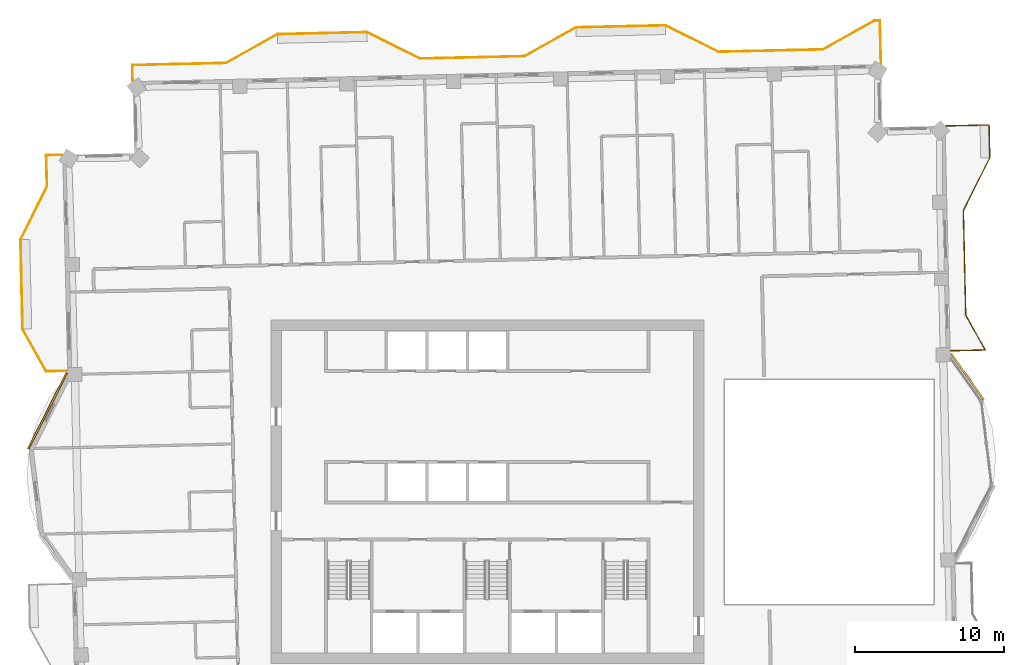
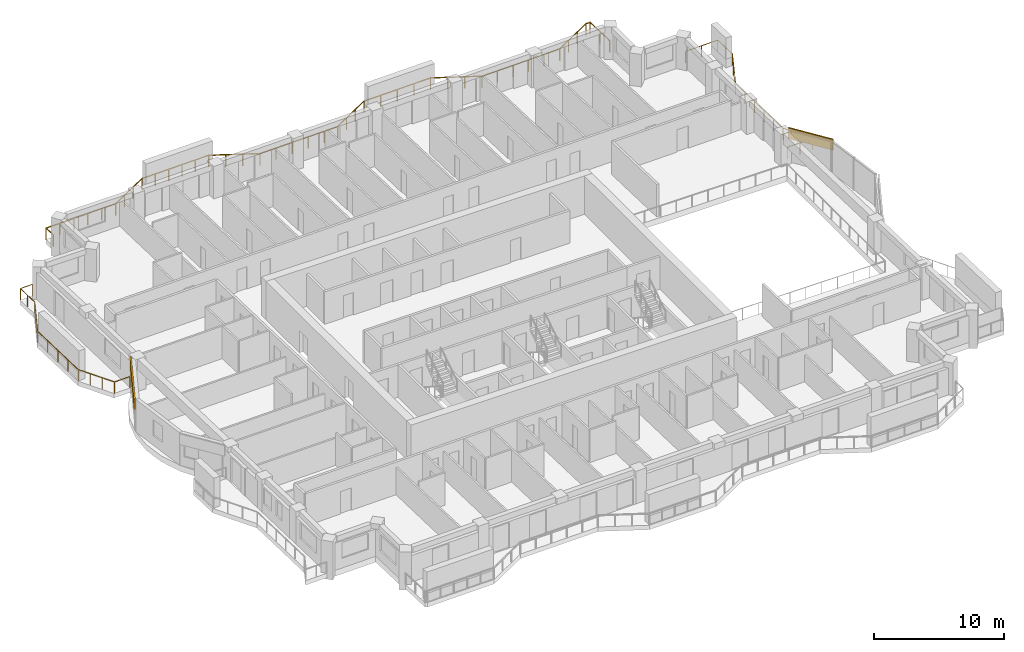
# One storey, part 19 of 19: 3 railings, 2 coverings.
"""IFC4 building model written with IfcOpenShell, lengths in metres."""

from ifc_helpers import new_model, si_unit, direction, frame, frame_2d, origin, origin_2d, place, context, subcontext, project, spatial, rectangle, extrude, material, layer, layer_set, type_object, element, save


model = new_model("IFC4")

# Units and contexts
model_context = context("Model", 3, precision=1e-05, world=origin(), true_north=direction((0.0, 1.0)))
body_context = subcontext(model_context, "Body", "Model", "MODEL_VIEW")
ifc_project = project(units=[si_unit("LENGTHUNIT", "METRE"), si_unit("AREAUNIT", "SQUARE_METRE"), si_unit("VOLUMEUNIT", "CUBIC_METRE"), si_unit("PLANEANGLEUNIT", "RADIAN"), si_unit("MASSUNIT", "GRAM", prefix="KILO")], contexts=[model_context])

# Site, building, storey
site_placement = place(None, origin())
site = spatial("IfcSite", under=ifc_project, at=site_placement, CompositionType="ELEMENT")
building_placement = place(site_placement, origin())
building = spatial("IfcBuilding", under=site, at=building_placement, Name="Mangrove Gate Tower", CompositionType="ELEMENT")
storey_placement = place(building_placement, frame((0.0, 0.0, 283.5)))
storey = spatial("IfcBuildingStorey", under=building, at=storey_placement, Name="L72", CompositionType="ELEMENT", Elevation=283.5)

# Railings
ifc_material_1 = material(Name="Stainless steel grade 316 with laminated glass infill", Category="steel")
railing_type = type_object("IfcRailingType", Name="Balcony guard 1100", PredefinedType="GUARDRAIL", material=ifc_material_1)
railing_1_placement = place(storey_placement, frame((31.0390625, 9.445068359375, 0.0)))
element("IfcRailing", 1, at=railing_1_placement, inside=storey, type_object=railing_type, Name="GUARD L72 E2", PredefinedType="GUARDRAIL", context=body_context, shape_type="SweptSolid", body=[
    extrude(rectangle(XDim=0.048095703125, YDim=0.048095703125, at=origin_2d()), frame((0.0, 0.0, 1.076171875), z_axis=(0.999738009607, 0.022889127251, 0.0), x_axis=(-0.022889127251, 0.999738009607, 0.0)), (0.0, 0.0, 1.0), 2.314453125),
    extrude(rectangle(XDim=0.048095703125, YDim=0.048095703125, at=origin_2d()), frame((2.31396484375, 0.052978515625, 1.076171875), z_axis=(-0.487163004485, 0.873311059738, 0.0), x_axis=(-0.873311059738, -0.487163004485, 0.0)), (0.0, 0.0, 1.0), 2.68505859375),
    extrude(rectangle(XDim=0.048095703125, YDim=0.048095703125, at=origin_2d()), frame((1.005859375, 2.39794921875, 1.076171875), z_axis=(-0.022705559911, 0.999742195543, 0.0), x_axis=(-0.999742195543, -0.022705559911, 0.0)), (0.0, 0.0, 1.0), 6.999755859375),
    extrude(rectangle(XDim=0.048095703125, YDim=0.048095703125, at=origin_2d()), frame((0.846923828125, 9.39599609375, 1.076171875), z_axis=(0.447016280881, 0.894525821107, 0.0), x_axis=(-0.894525821107, 0.447016280881, 0.0)), (0.0, 0.0, 1.0), 3.959716796875),
    extrude(rectangle(XDim=0.048095703125, YDim=0.048095703125, at=origin_2d()), frame((2.616943359375, 12.93798828125, 1.076171875), z_axis=(-0.022754182687, 0.999741090068, 0.0), x_axis=(-0.999741090068, -0.022754182687, 0.0)), (0.0, 0.0, 1.0), 2.199462890625),
    extrude(rectangle(XDim=0.048095703125, YDim=0.048095703125, at=origin_2d()), frame((2.56689453125, 15.136962890625, 1.076171875), z_axis=(-0.999743349437, -0.022654696127, 0.0), x_axis=(0.022654696127, -0.999743349437, 0.0)), (0.0, 0.0, 1.0), 2.90966796875),
    extrude(rectangle(XDim=0.0419921875, YDim=0.0419921875, at=origin_2d()), origin(), (0.0, 0.0, 1.0), 1.052001953125),
    extrude(rectangle(XDim=0.0419921875, YDim=0.0419921875, at=origin_2d()), frame((1.156982421875, 0.0263671875, 0.0)), (0.0, 0.0, 1.0), 1.052001953125),
    extrude(rectangle(XDim=0.0419921875, YDim=0.0419921875, at=origin_2d()), frame((2.31396484375, 0.052978515625, 0.0)), (0.0, 0.0, 1.0), 1.052001953125),
    extrude(rectangle(XDim=0.0419921875, YDim=0.0419921875, at=origin_2d()), frame((1.659912109375, 1.2255859375, 0.0)), (0.0, 0.0, 1.0), 1.052001953125),
    extrude(rectangle(XDim=0.0419921875, YDim=0.0419921875, at=origin_2d()), frame((1.005859375, 2.39794921875, 0.0)), (0.0, 0.0, 1.0), 1.052001953125),
    extrude(rectangle(XDim=0.0419921875, YDim=0.0419921875, at=origin_2d()), frame((0.97412109375, 3.797607421875, 0.0)), (0.0, 0.0, 1.0), 1.052001953125),
    extrude(rectangle(XDim=0.0419921875, YDim=0.0419921875, at=origin_2d()), frame((0.9423828125, 5.197265625, 0.0)), (0.0, 0.0, 1.0), 1.052001953125),
    extrude(rectangle(XDim=0.0419921875, YDim=0.0419921875, at=origin_2d()), frame((0.910400390625, 6.5966796875, 0.0)), (0.0, 0.0, 1.0), 1.052001953125),
    extrude(rectangle(XDim=0.0419921875, YDim=0.0419921875, at=origin_2d()), frame((0.878662109375, 7.996337890625, 0.0)), (0.0, 0.0, 1.0), 1.052001953125),
    extrude(rectangle(XDim=0.0419921875, YDim=0.0419921875, at=origin_2d()), frame((0.846923828125, 9.39599609375, 0.0)), (0.0, 0.0, 1.0), 1.052001953125),
    extrude(rectangle(XDim=0.0419921875, YDim=0.0419921875, at=origin_2d()), frame((1.43701171875, 10.57666015625, 0.0)), (0.0, 0.0, 1.0), 1.052001953125),
    extrude(rectangle(XDim=0.0419921875, YDim=0.0419921875, at=origin_2d()), frame((2.02685546875, 11.75732421875, 0.0)), (0.0, 0.0, 1.0), 1.052001953125),
    extrude(rectangle(XDim=0.0419921875, YDim=0.0419921875, at=origin_2d()), frame((2.616943359375, 12.93798828125, 0.0)), (0.0, 0.0, 1.0), 1.052001953125),
    extrude(rectangle(XDim=0.0419921875, YDim=0.0419921875, at=origin_2d()), frame((2.591796875, 14.03759765625, 0.0)), (0.0, 0.0, 1.0), 1.052001953125),
    extrude(rectangle(XDim=0.0419921875, YDim=0.0419921875, at=origin_2d()), frame((2.56689453125, 15.136962890625, 0.0)), (0.0, 0.0, 1.0), 1.052001953125),
    extrude(rectangle(XDim=0.0419921875, YDim=0.0419921875, at=origin_2d()), frame((1.1123046875, 15.10400390625, 0.0)), (0.0, 0.0, 1.0), 1.052001953125),
    extrude(rectangle(XDim=0.0419921875, YDim=0.0419921875, at=origin_2d()), frame((-0.342041015625, 15.071044921875, 0.0)), (0.0, 0.0, 1.0), 1.052001953125),
])
railing_2_placement = place(storey_placement, frame((26.362060546875, 28.658935546875, 0.0)))
element("IfcRailing", 2, at=railing_2_placement, inside=storey, type_object=railing_type, Name="GUARD L72 N1", PredefinedType="GUARDRAIL", context=body_context, shape_type="SweptSolid", body=[
    extrude(rectangle(XDim=0.048095703125, YDim=0.048095703125, at=origin_2d()), frame((0.0, 0.0, 1.076171875), z_axis=(-0.022736651854, 0.999741488917, 0.0), x_axis=(-0.999741488917, -0.022736651854, 0.0)), (0.0, 0.0, 1.0), 2.909912109375),
    extrude(rectangle(XDim=0.048095703125, YDim=0.048095703125, at=origin_2d()), frame((-0.066162109375, 2.9091796875, 1.076171875), z_axis=(-0.999760329145, -0.021892561952, 0.0), x_axis=(0.021892561952, -0.999760329145, 0.0)), (0.0, 0.0, 1.0), 0.367919921875),
    extrude(rectangle(XDim=0.048095703125, YDim=0.048095703125, at=origin_2d()), frame((-0.43408203125, 2.901123046875, 1.076171875), z_axis=(-0.87325689943, -0.48726008209, 0.0), x_axis=(0.48726008209, -0.87325689943, 0.0)), (0.0, 0.0, 1.0), 3.958740234375),
    extrude(rectangle(XDim=0.048095703125, YDim=0.048095703125, at=origin_2d()), frame((-3.89111328125, 0.97216796875, 1.076171875), z_axis=(-0.999741475346, -0.022737248567, 0.0), x_axis=(0.022737248567, -0.999741475346, 0.0)), (0.0, 0.0, 1.0), 7.000732421875),
    extrude(rectangle(XDim=0.048095703125, YDim=0.048095703125, at=origin_2d()), frame((-10.89013671875, 0.81298828125, 1.076171875), z_axis=(-0.894476522376, 0.447114919141, 0.0), x_axis=(-0.447114919141, -0.894476522376, 0.0)), (0.0, 0.0, 1.0), 3.958740234375),
    extrude(rectangle(XDim=0.048095703125, YDim=0.048095703125, at=origin_2d()), frame((-14.43115234375, 2.5830078125, 1.076171875), z_axis=(-0.999743073592, -0.022666865795, 0.0), x_axis=(0.022666865795, -0.999743073592, 0.0)), (0.0, 0.0, 1.0), 5.999267578125),
    extrude(rectangle(XDim=0.048095703125, YDim=0.048095703125, at=origin_2d()), frame((-20.428955078125, 2.447021484375, 1.076171875), z_axis=(-0.87325689943, -0.48726008209, 0.0), x_axis=(0.48726008209, -0.87325689943, 0.0)), (0.0, 0.0, 1.0), 3.958740234375),
    extrude(rectangle(XDim=0.048095703125, YDim=0.048095703125, at=origin_2d()), frame((-23.885986328125, 0.51806640625, 1.076171875), z_axis=(-0.999745184295, -0.022573579222, 0.0), x_axis=(0.022573579222, -0.999745184295, 0.0)), (0.0, 0.0, 1.0), 1.200439453125),
    extrude(rectangle(XDim=0.048095703125, YDim=0.048095703125, at=origin_2d()), frame((-25.086181640625, 0.490966796875, 1.076171875), z_axis=(-0.999741574676, -0.022732880677, 0.0), x_axis=(0.022732880677, -0.999741574676, 0.0)), (0.0, 0.0, 1.0), 5.79931640625),
    extrude(rectangle(XDim=0.048095703125, YDim=0.048095703125, at=origin_2d()), frame((-30.884033203125, 0.359130859375, 1.076171875), z_axis=(-0.894476522376, 0.447114919141, 0.0), x_axis=(-0.447114919141, -0.894476522376, 0.0)), (0.0, 0.0, 1.0), 3.958740234375),
    extrude(rectangle(XDim=0.048095703125, YDim=0.048095703125, at=origin_2d()), frame((-34.425048828125, 2.129150390625, 1.076171875), z_axis=(-0.999743178102, -0.022662255828, 0.0), x_axis=(0.022662255828, -0.999743178102, 0.0)), (0.0, 0.0, 1.0), 6.00048828125),
    extrude(rectangle(XDim=0.048095703125, YDim=0.048095703125, at=origin_2d()), frame((-40.424072265625, 1.9931640625, 1.076171875), z_axis=(-0.873230657876, -0.487307108654, 0.0), x_axis=(0.487307108654, -0.873230657876, 0.0)), (0.0, 0.0, 1.0), 3.958984375),
    extrude(rectangle(XDim=0.048095703125, YDim=0.048095703125, at=origin_2d()), frame((-43.881103515625, 0.06396484375, 1.076171875), z_axis=(-0.999743862687, -0.022632035232, 0.0), x_axis=(0.022632035232, -0.999743862687, 0.0)), (0.0, 0.0, 1.0), 6.267578125),
    extrude(rectangle(XDim=0.048095703125, YDim=0.048095703125, at=origin_2d()), frame((-50.14697265625, -0.077880859375, 1.076171875), z_axis=(0.021643938231, -0.999765742531, 0.0), x_axis=(0.999765742531, 0.021643938231, 0.0)), (0.0, 0.0, 1.0), 1.060302734375),
    extrude(rectangle(XDim=0.0419921875, YDim=0.0419921875, at=origin_2d()), origin(), (0.0, 0.0, 1.0), 1.052001953125),
    extrude(rectangle(XDim=0.0419921875, YDim=0.0419921875, at=origin_2d()), frame((-0.033203125, 1.45458984375, 0.0)), (0.0, 0.0, 1.0), 1.052001953125),
    extrude(rectangle(XDim=0.0419921875, YDim=0.0419921875, at=origin_2d()), frame((-0.066162109375, 2.9091796875, 0.0)), (0.0, 0.0, 1.0), 1.052001953125),
    extrude(rectangle(XDim=0.0419921875, YDim=0.0419921875, at=origin_2d()), frame((-0.43408203125, 2.901123046875, 0.0)), (0.0, 0.0, 1.0), 1.052001953125),
    extrude(rectangle(XDim=0.0419921875, YDim=0.0419921875, at=origin_2d()), frame((-1.58642578125, 2.258056640625, 0.0)), (0.0, 0.0, 1.0), 1.052001953125),
    extrude(rectangle(XDim=0.0419921875, YDim=0.0419921875, at=origin_2d()), frame((-2.73876953125, 1.615234375, 0.0)), (0.0, 0.0, 1.0), 1.052001953125),
    extrude(rectangle(XDim=0.0419921875, YDim=0.0419921875, at=origin_2d()), frame((-3.89111328125, 0.97216796875, 0.0)), (0.0, 0.0, 1.0), 1.052001953125),
    extrude(rectangle(XDim=0.0419921875, YDim=0.0419921875, at=origin_2d()), frame((-5.291015625, 0.9404296875, 0.0)), (0.0, 0.0, 1.0), 1.052001953125),
    extrude(rectangle(XDim=0.0419921875, YDim=0.0419921875, at=origin_2d()), frame((-6.690673828125, 0.908447265625, 0.0)), (0.0, 0.0, 1.0), 1.052001953125),
    extrude(rectangle(XDim=0.0419921875, YDim=0.0419921875, at=origin_2d()), frame((-8.090576171875, 0.876708984375, 0.0)), (0.0, 0.0, 1.0), 1.052001953125),
    extrude(rectangle(XDim=0.0419921875, YDim=0.0419921875, at=origin_2d()), frame((-9.490234375, 0.8447265625, 0.0)), (0.0, 0.0, 1.0), 1.052001953125),
    extrude(rectangle(XDim=0.0419921875, YDim=0.0419921875, at=origin_2d()), frame((-10.89013671875, 0.81298828125, 0.0)), (0.0, 0.0, 1.0), 1.052001953125),
    extrude(rectangle(XDim=0.0419921875, YDim=0.0419921875, at=origin_2d()), frame((-12.070556640625, 1.403076171875, 0.0)), (0.0, 0.0, 1.0), 1.052001953125),
    extrude(rectangle(XDim=0.0419921875, YDim=0.0419921875, at=origin_2d()), frame((-13.250732421875, 1.992919921875, 0.0)), (0.0, 0.0, 1.0), 1.052001953125),
    extrude(rectangle(XDim=0.0419921875, YDim=0.0419921875, at=origin_2d()), frame((-14.43115234375, 2.5830078125, 0.0)), (0.0, 0.0, 1.0), 1.052001953125),
    extrude(rectangle(XDim=0.0419921875, YDim=0.0419921875, at=origin_2d()), frame((-15.9306640625, 2.549072265625, 0.0)), (0.0, 0.0, 1.0), 1.052001953125),
    extrude(rectangle(XDim=0.0419921875, YDim=0.0419921875, at=origin_2d()), frame((-17.43017578125, 2.51513671875, 0.0)), (0.0, 0.0, 1.0), 1.052001953125),
    extrude(rectangle(XDim=0.0419921875, YDim=0.0419921875, at=origin_2d()), frame((-18.929443359375, 2.48095703125, 0.0)), (0.0, 0.0, 1.0), 1.052001953125),
    extrude(rectangle(XDim=0.0419921875, YDim=0.0419921875, at=origin_2d()), frame((-20.428955078125, 2.447021484375, 0.0)), (0.0, 0.0, 1.0), 1.052001953125),
    extrude(rectangle(XDim=0.0419921875, YDim=0.0419921875, at=origin_2d()), frame((-21.581298828125, 1.803955078125, 0.0)), (0.0, 0.0, 1.0), 1.052001953125),
    extrude(rectangle(XDim=0.0419921875, YDim=0.0419921875, at=origin_2d()), frame((-22.733642578125, 1.1611328125, 0.0)), (0.0, 0.0, 1.0), 1.052001953125),
    extrude(rectangle(XDim=0.0419921875, YDim=0.0419921875, at=origin_2d()), frame((-23.885986328125, 0.51806640625, 0.0)), (0.0, 0.0, 1.0), 1.052001953125),
    extrude(rectangle(XDim=0.0419921875, YDim=0.0419921875, at=origin_2d()), frame((-25.086181640625, 0.490966796875, 0.0)), (0.0, 0.0, 1.0), 1.052001953125),
    extrude(rectangle(XDim=0.0419921875, YDim=0.0419921875, at=origin_2d()), frame((-26.53564453125, 0.4580078125, 0.0)), (0.0, 0.0, 1.0), 1.052001953125),
    extrude(rectangle(XDim=0.0419921875, YDim=0.0419921875, at=origin_2d()), frame((-27.985107421875, 0.425048828125, 0.0)), (0.0, 0.0, 1.0), 1.052001953125),
    extrude(rectangle(XDim=0.0419921875, YDim=0.0419921875, at=origin_2d()), frame((-29.4345703125, 0.39208984375, 0.0)), (0.0, 0.0, 1.0), 1.052001953125),
    extrude(rectangle(XDim=0.0419921875, YDim=0.0419921875, at=origin_2d()), frame((-30.884033203125, 0.359130859375, 0.0)), (0.0, 0.0, 1.0), 1.052001953125),
    extrude(rectangle(XDim=0.0419921875, YDim=0.0419921875, at=origin_2d()), frame((-32.064453125, 0.94921875, 0.0)), (0.0, 0.0, 1.0), 1.052001953125),
    extrude(rectangle(XDim=0.0419921875, YDim=0.0419921875, at=origin_2d()), frame((-33.24462890625, 1.5390625, 0.0)), (0.0, 0.0, 1.0), 1.052001953125),
    extrude(rectangle(XDim=0.0419921875, YDim=0.0419921875, at=origin_2d()), frame((-34.425048828125, 2.129150390625, 0.0)), (0.0, 0.0, 1.0), 1.052001953125),
    extrude(rectangle(XDim=0.0419921875, YDim=0.0419921875, at=origin_2d()), frame((-35.624755859375, 2.10205078125, 0.0)), (0.0, 0.0, 1.0), 1.052001953125),
    extrude(rectangle(XDim=0.0419921875, YDim=0.0419921875, at=origin_2d()), frame((-36.82470703125, 2.07470703125, 0.0)), (0.0, 0.0, 1.0), 1.052001953125),
    extrude(rectangle(XDim=0.0419921875, YDim=0.0419921875, at=origin_2d()), frame((-38.0244140625, 2.047607421875, 0.0)), (0.0, 0.0, 1.0), 1.052001953125),
    extrude(rectangle(XDim=0.0419921875, YDim=0.0419921875, at=origin_2d()), frame((-39.224365234375, 2.020263671875, 0.0)), (0.0, 0.0, 1.0), 1.052001953125),
    extrude(rectangle(XDim=0.0419921875, YDim=0.0419921875, at=origin_2d()), frame((-40.424072265625, 1.9931640625, 0.0)), (0.0, 0.0, 1.0), 1.052001953125),
    extrude(rectangle(XDim=0.0419921875, YDim=0.0419921875, at=origin_2d()), frame((-41.576416015625, 1.35009765625, 0.0)), (0.0, 0.0, 1.0), 1.052001953125),
    extrude(rectangle(XDim=0.0419921875, YDim=0.0419921875, at=origin_2d()), frame((-42.728759765625, 0.70703125, 0.0)), (0.0, 0.0, 1.0), 1.052001953125),
    extrude(rectangle(XDim=0.0419921875, YDim=0.0419921875, at=origin_2d()), frame((-43.881103515625, 0.06396484375, 0.0)), (0.0, 0.0, 1.0), 1.052001953125),
    extrude(rectangle(XDim=0.0419921875, YDim=0.0419921875, at=origin_2d()), frame((-45.13427734375, 0.03564453125, 0.0)), (0.0, 0.0, 1.0), 1.052001953125),
    extrude(rectangle(XDim=0.0419921875, YDim=0.0419921875, at=origin_2d()), frame((-46.387451171875, 0.00732421875, 0.0)), (0.0, 0.0, 1.0), 1.052001953125),
    extrude(rectangle(XDim=0.0419921875, YDim=0.0419921875, at=origin_2d()), frame((-47.640625, -0.021240234375, 0.0)), (0.0, 0.0, 1.0), 1.052001953125),
    extrude(rectangle(XDim=0.0419921875, YDim=0.0419921875, at=origin_2d()), frame((-48.893798828125, -0.049560546875, 0.0)), (0.0, 0.0, 1.0), 1.052001953125),
    extrude(rectangle(XDim=0.0419921875, YDim=0.0419921875, at=origin_2d()), frame((-50.14697265625, -0.077880859375, 0.0)), (0.0, 0.0, 1.0), 1.052001953125),
    extrude(rectangle(XDim=0.0419921875, YDim=0.0419921875, at=origin_2d()), frame((-50.1240234375, -1.137939453125, 0.0)), (0.0, 0.0, 1.0), 1.052001953125),
])
railing_3_placement = place(storey_placement, frame((-28.489990234375, 22.572998046875, 0.0)))
element("IfcRailing", 3, at=railing_3_placement, inside=storey, type_object=railing_type, Name="GUARD L72 W1", PredefinedType="GUARDRAIL", context=body_context, shape_type="SweptSolid", body=[
    extrude(rectangle(XDim=0.048095703125, YDim=0.048095703125, at=origin_2d()), frame((0.0, 0.0, 1.076171875), z_axis=(-0.999745389313, -0.022564497502, 0.0), x_axis=(0.022564497502, -0.999745389313, 0.0)), (0.0, 0.0, 1.0), 1.060302734375),
    extrude(rectangle(XDim=0.048095703125, YDim=0.048095703125, at=origin_2d()), frame((-1.06005859375, -0.02392578125, 1.076171875), z_axis=(0.022895647347, -0.999737860308, 0.0), x_axis=(0.999737860308, 0.022895647347, 0.0)), (0.0, 0.0, 1.0), 2.1005859375),
    extrude(rectangle(XDim=0.048095703125, YDim=0.048095703125, at=origin_2d()), frame((-1.011962890625, -2.1240234375, 1.076171875), z_axis=(-0.447312255532, -0.894377854182, 0.0), x_axis=(0.894377854182, -0.447312255532, 0.0)), (0.0, 0.0, 1.0), 3.959228515625),
    extrude(rectangle(XDim=0.048095703125, YDim=0.048095703125, at=origin_2d()), frame((-2.782958984375, -5.6650390625, 1.076171875), z_axis=(0.022828630714, -0.999739392852, 0.0), x_axis=(0.999739392852, 0.022828630714, 0.0)), (0.0, 0.0, 1.0), 5.99951171875),
    extrude(rectangle(XDim=0.048095703125, YDim=0.048095703125, at=origin_2d()), frame((-2.64599609375, -11.6630859375, 1.076171875), z_axis=(0.487121176966, -0.873334391256, 0.0), x_axis=(0.873334391256, 0.487121176966, 0.0)), (0.0, 0.0, 1.0), 3.251708984375),
    extrude(rectangle(XDim=0.048095703125, YDim=0.048095703125, at=origin_2d()), frame((-1.06201171875, -14.5029296875, 1.076171875), z_axis=(0.999735358589, 0.023004625325, 0.0), x_axis=(-0.023004625325, 0.999735358589, 0.0)), (0.0, 0.0, 1.0), 1.390380859375),
    extrude(rectangle(XDim=0.0419921875, YDim=0.0419921875, at=origin_2d()), origin(), (0.0, 0.0, 1.0), 1.052001953125),
    extrude(rectangle(XDim=0.0419921875, YDim=0.0419921875, at=origin_2d()), frame((-1.06005859375, -0.02392578125, 0.0)), (0.0, 0.0, 1.0), 1.052001953125),
    extrude(rectangle(XDim=0.0419921875, YDim=0.0419921875, at=origin_2d()), frame((-1.0361328125, -1.073974609375, 0.0)), (0.0, 0.0, 1.0), 1.052001953125),
    extrude(rectangle(XDim=0.0419921875, YDim=0.0419921875, at=origin_2d()), frame((-1.011962890625, -2.1240234375, 0.0)), (0.0, 0.0, 1.0), 1.052001953125),
    extrude(rectangle(XDim=0.0419921875, YDim=0.0419921875, at=origin_2d()), frame((-1.602294921875, -3.304443359375, 0.0)), (0.0, 0.0, 1.0), 1.052001953125),
    extrude(rectangle(XDim=0.0419921875, YDim=0.0419921875, at=origin_2d()), frame((-2.192626953125, -4.484619140625, 0.0)), (0.0, 0.0, 1.0), 1.052001953125),
    extrude(rectangle(XDim=0.0419921875, YDim=0.0419921875, at=origin_2d()), frame((-2.782958984375, -5.6650390625, 0.0)), (0.0, 0.0, 1.0), 1.052001953125),
    extrude(rectangle(XDim=0.0419921875, YDim=0.0419921875, at=origin_2d()), frame((-2.748779296875, -7.16455078125, 0.0)), (0.0, 0.0, 1.0), 1.052001953125),
    extrude(rectangle(XDim=0.0419921875, YDim=0.0419921875, at=origin_2d()), frame((-2.71435546875, -8.6640625, 0.0)), (0.0, 0.0, 1.0), 1.052001953125),
    extrude(rectangle(XDim=0.0419921875, YDim=0.0419921875, at=origin_2d()), frame((-2.68017578125, -10.16357421875, 0.0)), (0.0, 0.0, 1.0), 1.052001953125),
    extrude(rectangle(XDim=0.0419921875, YDim=0.0419921875, at=origin_2d()), frame((-2.64599609375, -11.6630859375, 0.0)), (0.0, 0.0, 1.0), 1.052001953125),
    extrude(rectangle(XDim=0.0419921875, YDim=0.0419921875, at=origin_2d()), frame((-2.117919921875, -12.609619140625, 0.0)), (0.0, 0.0, 1.0), 1.052001953125),
    extrude(rectangle(XDim=0.0419921875, YDim=0.0419921875, at=origin_2d()), frame((-1.590087890625, -13.556396484375, 0.0)), (0.0, 0.0, 1.0), 1.052001953125),
    extrude(rectangle(XDim=0.0419921875, YDim=0.0419921875, at=origin_2d()), frame((-1.06201171875, -14.5029296875, 0.0)), (0.0, 0.0, 1.0), 1.052001953125),
    extrude(rectangle(XDim=0.0419921875, YDim=0.0419921875, at=origin_2d()), frame((0.327880859375, -14.470947265625, 0.0)), (0.0, 0.0, 1.0), 1.052001953125),
])

# Coverings
ifc_material_2 = material(Name="Limestone", Category="masonry")
ifc_layer_1 = layer(ifc_material_2, 0.0400390625, Name="Limestone cladding")
ifc_material_3 = material(Name="Stainless steel anchors and cavity", Category="steel")
ifc_layer_2 = layer(ifc_material_3, 0.080078125, Name="Fixing cavity")
ifc_layer_set = layer_set([ifc_layer_1, ifc_layer_2], Name="Joint fascia cladding 120")
covering_type = type_object("IfcCoveringType", Name="Joint fascia cladding 120", PredefinedType="CLADDING", material=ifc_layer_set)
covering_1_placement = place(storey_placement, frame((33.25390625, 6.158935546875, 2.050048828125), z_axis=(0.0, 0.0, 1.0), x_axis=(-0.578168098379, 0.815917673553, 0.0)))
element("IfcCovering", 4, at=covering_1_placement, inside=storey, type_object=covering_type, Name="STONE FASCIA L72 E1.L2", PredefinedType="CLADDING", context=body_context, shape_type="SweptSolid", body=[
    extrude(rectangle(XDim=3.819091796875, YDim=0.1201171875, at=frame_2d((1.90966796875, 0.0))), origin(), (0.0, 0.0, 1.0), 1.0),
])
covering_2_placement = place(storey_placement, frame((-28.169677734375, 7.974609375, 2.050048828125), z_axis=(0.0, 0.0, 1.0), x_axis=(-0.452599154857, -0.891714082553, 0.0)))
element("IfcCovering", 5, at=covering_2_placement, inside=storey, type_object=covering_type, Name="STONE FASCIA L72 W9.L1", PredefinedType="CLADDING", context=body_context, shape_type="SweptSolid", body=[
    extrude(rectangle(XDim=5.703369140625, YDim=0.1201171875, at=frame_2d((2.8515625, 0.0))), origin(), (0.0, 0.0, 1.0), 1.0),
])

save(model, "model.ifc")
